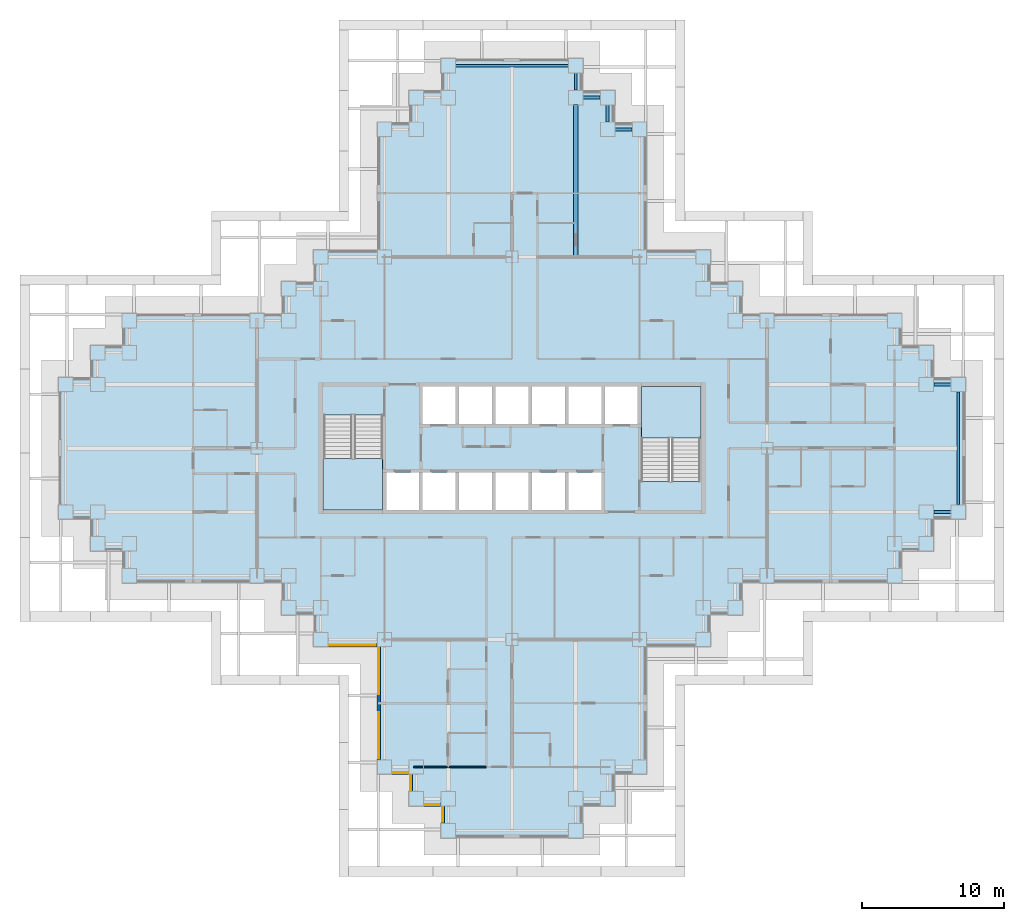
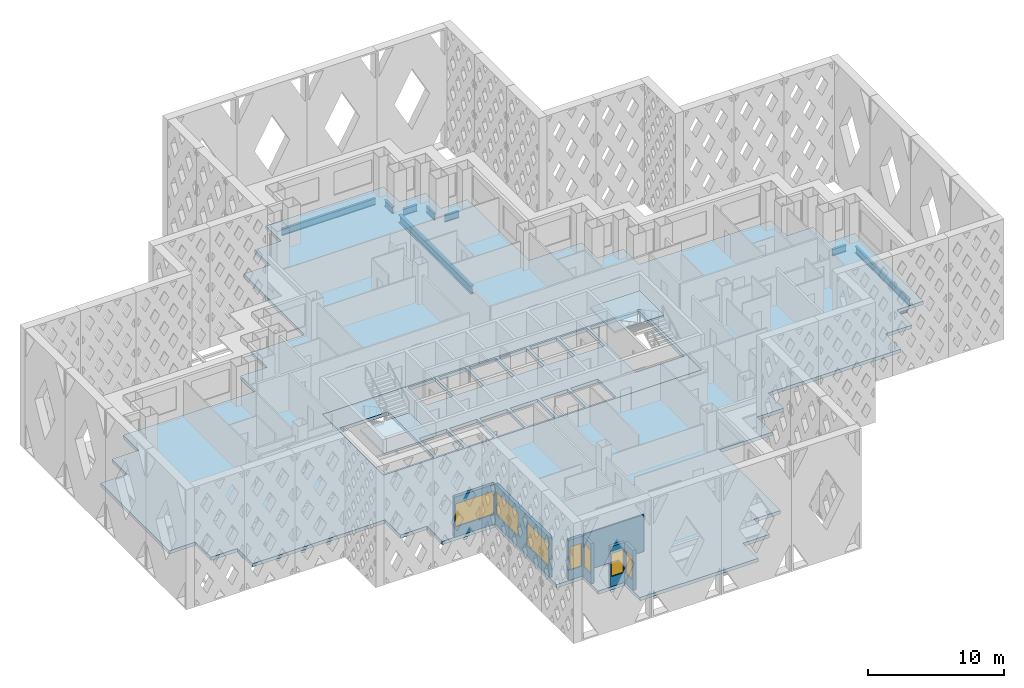
# One storey, part 2 of 19: 9 beams, 7 walls, 7 windows, 4 slabs, 7 openings, 2 elements without a shape of their own.
"""IFC4 building model written with IfcOpenShell, lengths in metres."""

from ifc_helpers import new_model, si_unit, direction, frame, frame_2d, origin, origin_2d, place, context, subcontext, project, spatial, polyline, rectangle, i_section, outline, extrude, material, layer, layer_set, material_profile, profile_set, type_object, element, fill, aggregate, save


model = new_model("IFC4")

# Units and contexts
model_context = context("Model", 3, precision=1e-05, world=origin(), true_north=direction((0.0, 1.0)))
body_context = subcontext(model_context, "Body", "Model", "MODEL_VIEW")
ifc_project = project(units=[si_unit("LENGTHUNIT", "METRE"), si_unit("AREAUNIT", "SQUARE_METRE"), si_unit("VOLUMEUNIT", "CUBIC_METRE"), si_unit("PLANEANGLEUNIT", "RADIAN"), si_unit("MASSUNIT", "GRAM", prefix="KILO")], contexts=[model_context])

# Site, building, storey
site_placement = place(None, origin())
site = spatial("IfcSite", under=ifc_project, at=site_placement, CompositionType="ELEMENT")
building_placement = place(site_placement, origin())
building = spatial("IfcBuilding", under=site, at=building_placement, Name="Caravel Reach Hotel and Residences", CompositionType="ELEMENT")
storey_placement = place(building_placement, frame((0.0, 0.0, 52.800048828125)))
storey = spatial("IfcBuildingStorey", under=building, at=storey_placement, Name="L11", CompositionType="ELEMENT", Elevation=52.800048828125)

# Beams
ifc_material_1 = material(Name="Structural steel Q355B", Category="steel")
ifc_material_profile_1 = material_profile(ifc_material_1, i_section(OverallWidth=0.300048828125, OverallDepth=0.699951171875, WebThickness=0.012939453125, FlangeThickness=0.02392578125, FilletRadius=0.01806640625, at=origin_2d()), Name="HN 700x300x13x24")
ifc_profile_set_1 = profile_set([ifc_material_profile_1], Name="Structural steel Q355B")
beam_type_1 = type_object("IfcBeamType", Name="Beam HN 700x300x13x24", PredefinedType="BEAM", material=ifc_profile_set_1)
beam_1_placement = place(storey_placement, frame((36.0, 40.60009765625, -0.650146484375), z_axis=(0.0, 1.0, 0.0), x_axis=(-1.0, 0.0, 0.0)))
element("IfcBeam", 1, at=beam_1_placement, inside=storey, type_object=beam_type_1, Name="B2 HN 700x300x13x24", PredefinedType="BEAM", context=body_context, shape_type="SweptSolid", body=[
    extrude(i_section(OverallWidth=0.300048828125, OverallDepth=0.699951171875, WebThickness=0.012939453125, FlangeThickness=0.02392578125, FilletRadius=0.01806640625, at=origin_2d()), origin(), (0.0, 0.0, 1.0), 10.6748046875),
])
ifc_material_2 = material(Name="Structural steel Q355B", Category="steel")
ifc_material_profile_2 = material_profile(ifc_material_2, i_section(OverallWidth=0.199951171875, OverallDepth=0.60009765625, WebThickness=0.010986328125, FlangeThickness=0.01708984375, FilletRadius=0.012939453125, at=origin_2d()), Name="HN 600x200x11x17")
ifc_profile_set_2 = profile_set([ifc_material_profile_2], Name="Structural steel Q355B")
beam_type_2 = type_object("IfcBeamType", Name="Spandrel beam HN 600x200x11x17", PredefinedType="SPANDREL", material=ifc_profile_set_2)
beam_2_placement = place(storey_placement, frame((61.27490234375, 22.5, -0.60009765625), z_axis=(1.0, 0.0, 0.0), x_axis=(0.0, 1.0, 0.0)))
element("IfcBeam", 2, at=beam_2_placement, inside=storey, type_object=beam_type_2, Name="SP1 HN 600x200x11x17", PredefinedType="SPANDREL", context=body_context, shape_type="SweptSolid", body=[
    extrude(i_section(OverallWidth=0.199951171875, OverallDepth=0.60009765625, WebThickness=0.010986328125, FlangeThickness=0.01708984375, FilletRadius=0.012939453125, at=origin_2d()), origin(), (0.0, 0.0, 1.0), 1.2001953125),
])
beam_3_placement = place(storey_placement, frame((63.0, 23.02490234375, -0.60009765625), z_axis=(0.0, 1.0, 0.0), x_axis=(-1.0, 0.0, 0.0)))
element("IfcBeam", 3, at=beam_3_placement, inside=storey, type_object=beam_type_2, Name="SP1 HN 600x200x11x17", PredefinedType="SPANDREL", context=body_context, shape_type="SweptSolid", body=[
    extrude(i_section(OverallWidth=0.199951171875, OverallDepth=0.60009765625, WebThickness=0.010986328125, FlangeThickness=0.01708984375, FilletRadius=0.012939453125, at=origin_2d()), origin(), (0.0, 0.0, 1.0), 7.9501953125),
])
for number, where, z_axis, x_axis, name in (
    (4, (62.47509765625, 31.5, -0.60009765625), (-1.0, 0.0, 0.0), (0.0, -1.0, 0.0), "SP1 HN 600x200x11x17"),
    (5, (39.97509765625, 49.5, -0.60009765625), (-1.0, 0.0, 0.0), (0.0, -1.0, 0.0), "SP1 HN 600x200x11x17"),
    (6, (38.25, 50.02490234375, -0.60009765625), (0.0, 1.0, 0.0), (-1.0, 0.0, 0.0), "SP1 HN 600x200x11x17"),
    (7, (37.72509765625, 51.75, -0.60009765625), (-1.0, 0.0, 0.0), (0.0, -1.0, 0.0), "SP1 HN 600x200x11x17"),
    (8, (36.0, 52.27490234375, -0.60009765625), (0.0, 1.0, 0.0), (-1.0, 0.0, 0.0), "SP1 HN 600x200x11x17"),
):
    element("IfcBeam", number, at=place(storey_placement, frame(where, z_axis=z_axis, x_axis=x_axis)), inside=storey, type_object=beam_type_2, Name=name, PredefinedType="SPANDREL", context=body_context, shape_type="SweptSolid", body=[
        extrude(i_section(OverallWidth=0.199951171875, OverallDepth=0.60009765625, WebThickness=0.010986328125, FlangeThickness=0.01708984375, FilletRadius=0.012939453125, at=origin_2d()), origin(), (0.0, 0.0, 1.0), 1.2001953125),
    ])
beam_4_placement = place(storey_placement, frame((35.47509765625, 54.0, -0.60009765625), z_axis=(-1.0, 0.0, 0.0), x_axis=(0.0, -1.0, 0.0)))
element("IfcBeam", 9, at=beam_4_placement, inside=storey, type_object=beam_type_2, Name="SP1 HN 600x200x11x17", PredefinedType="SPANDREL", context=body_context, shape_type="SweptSolid", body=[
    extrude(i_section(OverallWidth=0.199951171875, OverallDepth=0.60009765625, WebThickness=0.010986328125, FlangeThickness=0.01708984375, FilletRadius=0.012939453125, at=origin_2d()), origin(), (0.0, 0.0, 1.0), 7.9501953125),
])

# Slab
ifc_material_3 = material(Name="Concrete C40", Category="concrete")
ifc_layer_1 = layer(ifc_material_3, 0.300048828125)
ifc_layer_set_1 = layer_set([ifc_layer_1], Name="Core floor slab 300 mm")
slab_type_1 = type_object("IfcSlabType", Name="Core floor slab 300 mm", PredefinedType="FLOOR", material=ifc_layer_set_1)
slab_1_placement = place(storey_placement, frame((0.0, 0.0, -0.300048828125)))
element("IfcSlab", 10, at=slab_1_placement, inside=storey, type_object=slab_type_1, Name="L11 core floor", PredefinedType="FLOOR", context=body_context, shape_type="SweptSolid", body=[
    extrude(outline(polyline([(18.0, 31.5), (45.0, 31.5), (45.0, 22.5), (18.0, 22.5), (18.0, 31.5)]), holes=[polyline([(22.625, 25.27490234375), (22.625, 22.64990234375), (24.9462890625, 22.64990234375), (24.9462890625, 25.27490234375), (22.625, 25.27490234375)]), polyline([(27.517822265625, 25.27490234375), (25.1962890625, 25.27490234375), (25.1962890625, 22.64990234375), (27.517822265625, 22.64990234375), (27.517822265625, 25.27490234375)]), polyline([(30.08935546875, 25.27490234375), (27.767822265625, 25.27490234375), (27.767822265625, 22.64990234375), (30.08935546875, 22.64990234375), (30.08935546875, 25.27490234375)]), polyline([(32.66064453125, 25.27490234375), (30.33935546875, 25.27490234375), (30.33935546875, 22.64990234375), (32.66064453125, 22.64990234375), (32.66064453125, 25.27490234375)]), polyline([(18.22509765625, 22.64990234375), (22.375, 22.64990234375), (22.375, 29.35009765625), (18.22509765625, 29.35009765625), (18.22509765625, 22.64990234375)]), polyline([(27.517822265625, 31.35009765625), (25.1962890625, 31.35009765625), (25.1962890625, 28.72509765625), (27.517822265625, 28.72509765625), (27.517822265625, 31.35009765625)]), polyline([(30.08935546875, 31.35009765625), (27.767822265625, 31.35009765625), (27.767822265625, 28.72509765625), (30.08935546875, 28.72509765625), (30.08935546875, 31.35009765625)]), polyline([(32.91064453125, 25.27490234375), (32.91064453125, 22.64990234375), (35.232177734375, 22.64990234375), (35.232177734375, 25.27490234375), (32.91064453125, 25.27490234375)]), polyline([(37.8037109375, 25.27490234375), (35.482177734375, 25.27490234375), (35.482177734375, 22.64990234375), (37.8037109375, 22.64990234375), (37.8037109375, 25.27490234375)]), polyline([(44.77490234375, 31.35009765625), (40.625, 31.35009765625), (40.625, 24.64990234375), (44.77490234375, 24.64990234375), (44.77490234375, 31.35009765625)]), polyline([(32.66064453125, 31.35009765625), (30.33935546875, 31.35009765625), (30.33935546875, 28.72509765625), (32.66064453125, 28.72509765625), (32.66064453125, 31.35009765625)]), polyline([(35.232177734375, 31.35009765625), (32.91064453125, 31.35009765625), (32.91064453125, 28.72509765625), (35.232177734375, 28.72509765625), (35.232177734375, 31.35009765625)]), polyline([(37.8037109375, 31.35009765625), (35.482177734375, 31.35009765625), (35.482177734375, 28.72509765625), (37.8037109375, 28.72509765625), (37.8037109375, 31.35009765625)]), polyline([(40.375, 31.35009765625), (38.0537109375, 31.35009765625), (38.0537109375, 28.72509765625), (40.375, 28.72509765625), (40.375, 31.35009765625)])]), origin(), (0.0, 0.0, 1.0), 0.300048828125),
])

# Stair, slab
ifc_material_4 = material(Name="Concrete C40", Category="concrete")
stair_type = type_object("IfcStairType", Name="Core stair", PredefinedType="HALF_TURN_STAIR", material=ifc_material_4)
stair_1_placement = place(storey_placement, origin())
stair_1 = element("IfcStair", 11, at=stair_1_placement, inside=storey, type_object=stair_type, Name="L11 Exit stair A", PredefinedType="HALF_TURN_STAIR")
ifc_material_5 = material(Name="Concrete C40", Category="concrete")
ifc_layer_2 = layer(ifc_material_5, 0.199951171875)
ifc_layer_set_2 = layer_set([ifc_layer_2], Name="Core stair landing")
slab_type_2 = type_object("IfcSlabType", Name="Core stair landing", PredefinedType="LANDING", material=ifc_layer_set_2)
slab_2_placement = place(storey_placement, frame((0.0, 0.0, 1.599853515625)))
slab_2 = element("IfcSlab", 12, at=slab_2_placement, type_object=slab_type_2, Name="ST-A landing 1", PredefinedType="LANDING", context=body_context, shape_type="SweptSolid", body=[
    extrude(outline(polyline([(18.14990234375, 26.27001953125), (18.14990234375, 22.64990234375), (22.375, 22.64990234375), (22.375, 26.27001953125), (18.14990234375, 26.27001953125)])), origin(), (0.0, 0.0, 1.0), 0.2001953125),
])
aggregate(stair_1, [slab_2])

stair_2_placement = place(storey_placement, origin())
stair_2 = element("IfcStair", 13, at=stair_2_placement, inside=storey, type_object=stair_type, Name="L11 Exit stair B", PredefinedType="HALF_TURN_STAIR")
slab_3_placement = place(storey_placement, frame((0.0, 0.0, 1.599853515625)))
slab_3 = element("IfcSlab", 14, at=slab_3_placement, type_object=slab_type_2, Name="ST-B landing 1", PredefinedType="LANDING", context=body_context, shape_type="SweptSolid", body=[
    extrude(outline(polyline([(44.85009765625, 27.72998046875), (44.85009765625, 31.35009765625), (40.625, 31.35009765625), (40.625, 27.72998046875), (44.85009765625, 27.72998046875)])), origin(), (0.0, 0.0, 1.0), 0.2001953125),
])
aggregate(stair_2, [slab_3])

# Slab
ifc_material_6 = material(Name="Concrete C40 post-tensioned", Category="concrete")
ifc_layer_3 = layer(ifc_material_6, 0.300048828125)
ifc_layer_set_3 = layer_set([ifc_layer_3], Name="Floor slab 300")
slab_type_3 = type_object("IfcSlabType", Name="Floor slab 300", PredefinedType="FLOOR", material=ifc_layer_set_3)
slab_4_placement = place(storey_placement, frame((0.0, 0.0, -0.300048828125)))
element("IfcSlab", 15, at=slab_4_placement, inside=storey, type_object=slab_type_3, Name="S2 slab L11", PredefinedType="FLOOR", context=body_context, shape_type="SweptSolid", body=[
    extrude(outline(polyline([(17.47509765625, 12.97509765625), (17.47509765625, 15.22509765625), (15.22509765625, 15.22509765625), (15.22509765625, 17.47509765625), (3.97509765625, 17.47509765625), (3.97509765625, 19.72509765625), (1.72509765625, 19.72509765625), (1.72509765625, 21.97509765625), (-0.52490234375, 21.97509765625), (-0.52490234375, 32.02490234375), (1.72509765625, 32.02490234375), (1.72509765625, 34.27490234375), (3.97509765625, 34.27490234375), (3.97509765625, 36.52490234375), (15.22509765625, 36.52490234375), (15.22509765625, 38.77490234375), (17.47509765625, 38.77490234375), (17.47509765625, 41.02490234375), (21.97509765625, 41.02490234375), (21.97509765625, 50.02490234375), (24.22509765625, 50.02490234375), (24.22509765625, 52.27490234375), (26.47509765625, 52.27490234375), (26.47509765625, 54.52490234375), (36.52490234375, 54.52490234375), (36.52490234375, 52.27490234375), (38.77490234375, 52.27490234375), (38.77490234375, 50.02490234375), (41.02490234375, 50.02490234375), (41.02490234375, 41.02490234375), (45.52490234375, 41.02490234375), (45.52490234375, 38.77490234375), (47.77490234375, 38.77490234375), (47.77490234375, 36.52490234375), (59.02490234375, 36.52490234375), (59.02490234375, 34.27490234375), (61.27490234375, 34.27490234375), (61.27490234375, 32.02490234375), (63.52490234375, 32.02490234375), (63.52490234375, 21.97509765625), (61.27490234375, 21.97509765625), (61.27490234375, 19.72509765625), (59.02490234375, 19.72509765625), (59.02490234375, 17.47509765625), (47.77490234375, 17.47509765625), (47.77490234375, 15.22509765625), (45.52490234375, 15.22509765625), (45.52490234375, 12.97509765625), (41.02490234375, 12.97509765625), (41.02490234375, 3.97509765625), (38.77490234375, 3.97509765625), (38.77490234375, 1.72509765625), (36.52490234375, 1.72509765625), (36.52490234375, -0.52490234375), (26.47509765625, -0.52490234375), (26.47509765625, 1.72509765625), (24.22509765625, 1.72509765625), (24.22509765625, 3.97509765625), (21.97509765625, 3.97509765625), (21.97509765625, 12.97509765625), (17.47509765625, 12.97509765625)]), holes=[polyline([(45.0, 31.5), (18.0, 31.5), (18.0, 22.5), (45.0, 22.5), (45.0, 31.5)])]), origin(), (0.0, 0.0, 1.0), 0.300048828125),
])

# Wall, opening, window
ifc_material_7 = material(Name="Insulated rainscreen wall, aluminium cladding", Category="aluminium")
ifc_layer_4 = layer(ifc_material_7, 0.25)
ifc_layer_set_4 = layer_set([ifc_layer_4], Name="EW1 Tower rainscreen wall")
wall_type_1 = type_object("IfcWallType", Name="EW1 Tower rainscreen wall", PredefinedType="SOLIDWALL", material=ifc_layer_set_4)
wall_1_placement = place(storey_placement, frame((23.02490234375, 4.10009765625, 0.0), z_axis=(0.0, 0.0, 1.0), x_axis=(1.0, 0.0, 0.0)))
wall_1 = element("IfcWall", 16, at=wall_1_placement, inside=storey, type_object=wall_type_1, Name="External wall L11 S1.1", PredefinedType="SOLIDWALL", context=body_context, shape_type="SweptSolid", body=[
    extrude(rectangle(XDim=1.2001953125, YDim=0.25, at=frame_2d((0.60009765625, 0.0))), origin(), (0.0, 0.0, 1.0), 3.599853515625),
])
opening_1_placement = place(wall_1_placement, frame((0.10009765625, 0.0, 0.89990234375)))
opening_1 = element("IfcOpeningElement", 17, at=opening_1_placement, cuts=wall_1, Name="Opening WN1", PredefinedType="OPENING", context=body_context, shape_type="SweptSolid", body=[
    extrude(rectangle(XDim=1.0, YDim=2.080078125, at=frame_2d((0.5, 1.0400390625))), frame((0.0, 0.135009765625, 0.0), z_axis=(0.0, -1.0, 0.0), x_axis=(1.0, 0.0, 0.0)), (0.0, 0.0, 1.0), 0.27001953125),
])
ifc_material_8 = material(Name="Dark low-e glazing in black aluminium frame", Category="aluminium")
window_type_1 = type_object("IfcWindowType", Name="Hotel suite corner window 1000 x 2080", PartitioningType="SINGLE_PANEL", PredefinedType="WINDOW", material=ifc_material_8)
window_1_placement = place(opening_1_placement, origin())
window_1 = element("IfcWindow", 18, at=window_1_placement, inside=storey, type_object=window_type_1, Name="Window L11 S1.1.1", OverallHeight=2.080078125, OverallWidth=1.0, PartitioningType="SINGLE_PANEL", PredefinedType="WINDOW", context=body_context, shape_type="SweptSolid", body=[
    extrude(rectangle(XDim=1.0, YDim=2.080078125, at=frame_2d((0.5, 1.0400390625))), frame((0.0, 0.030029296875, 0.0), z_axis=(0.0, -1.0, 0.0), x_axis=(1.0, 0.0, 0.0)), (0.0, 0.0, 1.0), 0.06005859375),
])
fill(opening_1, window_1)

wall_2_placement = place(storey_placement, frame((24.35009765625, 3.97509765625, 0.0), z_axis=(0.0, 0.0, 1.0), x_axis=(0.0, -1.0, 0.0)))
wall_2 = element("IfcWall", 19, at=wall_2_placement, inside=storey, type_object=wall_type_1, Name="External wall L11 W2.1", PredefinedType="SOLIDWALL", context=body_context, shape_type="SweptSolid", body=[
    extrude(rectangle(XDim=1.2001953125, YDim=0.25, at=frame_2d((0.60009765625, 0.0))), origin(), (0.0, 0.0, 1.0), 3.599853515625),
])
opening_2_placement = place(wall_2_placement, frame((0.10009765625, 0.0, 0.89990234375)))
opening_2 = element("IfcOpeningElement", 20, at=opening_2_placement, cuts=wall_2, Name="Opening WN1", PredefinedType="OPENING", context=body_context, shape_type="SweptSolid", body=[
    extrude(rectangle(XDim=1.0, YDim=2.080078125, at=frame_2d((0.5, 1.0400390625))), frame((0.0, 0.135009765625, 0.0), z_axis=(0.0, -1.0, 0.0), x_axis=(1.0, 0.0, 0.0)), (0.0, 0.0, 1.0), 0.27001953125),
])
window_2_placement = place(opening_2_placement, origin())
window_2 = element("IfcWindow", 21, at=window_2_placement, inside=storey, type_object=window_type_1, Name="Window L11 W2.1.1", OverallHeight=2.080078125, OverallWidth=1.0, PartitioningType="SINGLE_PANEL", PredefinedType="WINDOW", context=body_context, shape_type="SweptSolid", body=[
    extrude(rectangle(XDim=1.0, YDim=2.080078125, at=frame_2d((0.5, 1.0400390625))), frame((0.0, 0.030029296875, 0.0), z_axis=(0.0, -1.0, 0.0), x_axis=(1.0, 0.0, 0.0)), (0.0, 0.0, 1.0), 0.06005859375),
])
fill(opening_2, window_2)

wall_3_placement = place(storey_placement, frame((25.27490234375, 1.85009765625, 0.0), z_axis=(0.0, 0.0, 1.0), x_axis=(1.0, 0.0, 0.0)))
wall_3 = element("IfcWall", 22, at=wall_3_placement, inside=storey, type_object=wall_type_1, Name="External wall L11 S3.1", PredefinedType="SOLIDWALL", context=body_context, shape_type="SweptSolid", body=[
    extrude(rectangle(XDim=1.2001953125, YDim=0.25, at=frame_2d((0.60009765625, 0.0))), origin(), (0.0, 0.0, 1.0), 3.599853515625),
])
opening_3_placement = place(wall_3_placement, frame((0.10009765625, 0.0, 0.89990234375)))
opening_3 = element("IfcOpeningElement", 23, at=opening_3_placement, cuts=wall_3, Name="Opening WN1", PredefinedType="OPENING", context=body_context, shape_type="SweptSolid", body=[
    extrude(rectangle(XDim=1.0, YDim=2.080078125, at=frame_2d((0.5, 1.0400390625))), frame((0.0, 0.135009765625, 0.0), z_axis=(0.0, -1.0, 0.0), x_axis=(1.0, 0.0, 0.0)), (0.0, 0.0, 1.0), 0.27001953125),
])
window_3_placement = place(opening_3_placement, origin())
window_3 = element("IfcWindow", 24, at=window_3_placement, inside=storey, type_object=window_type_1, Name="Window L11 S3.1.1", OverallHeight=2.080078125, OverallWidth=1.0, PartitioningType="SINGLE_PANEL", PredefinedType="WINDOW", context=body_context, shape_type="SweptSolid", body=[
    extrude(rectangle(XDim=1.0, YDim=2.080078125, at=frame_2d((0.5, 1.0400390625))), frame((0.0, 0.030029296875, 0.0), z_axis=(0.0, -1.0, 0.0), x_axis=(1.0, 0.0, 0.0)), (0.0, 0.0, 1.0), 0.06005859375),
])
fill(opening_3, window_3)

wall_4_placement = place(storey_placement, frame((26.60009765625, 1.72509765625, 0.0), z_axis=(0.0, 0.0, 1.0), x_axis=(0.0, -1.0, 0.0)))
wall_4 = element("IfcWall", 25, at=wall_4_placement, inside=storey, type_object=wall_type_1, Name="External wall L11 W4.1", PredefinedType="SOLIDWALL", context=body_context, shape_type="SweptSolid", body=[
    extrude(rectangle(XDim=1.2001953125, YDim=0.25, at=frame_2d((0.60009765625, 0.0))), origin(), (0.0, 0.0, 1.0), 3.599853515625),
])
opening_4_placement = place(wall_4_placement, frame((0.10009765625, 0.0, 0.89990234375)))
opening_4 = element("IfcOpeningElement", 26, at=opening_4_placement, cuts=wall_4, Name="Opening WN1", PredefinedType="OPENING", context=body_context, shape_type="SweptSolid", body=[
    extrude(rectangle(XDim=1.0, YDim=2.080078125, at=frame_2d((0.5, 1.0400390625))), frame((0.0, 0.135009765625, 0.0), z_axis=(0.0, -1.0, 0.0), x_axis=(1.0, 0.0, 0.0)), (0.0, 0.0, 1.0), 0.27001953125),
])
window_4_placement = place(opening_4_placement, origin())
window_4 = element("IfcWindow", 27, at=window_4_placement, inside=storey, type_object=window_type_1, Name="Window L11 W4.1.1", OverallHeight=2.080078125, OverallWidth=1.0, PartitioningType="SINGLE_PANEL", PredefinedType="WINDOW", context=body_context, shape_type="SweptSolid", body=[
    extrude(rectangle(XDim=1.0, YDim=2.080078125, at=frame_2d((0.5, 1.0400390625))), frame((0.0, 0.030029296875, 0.0), z_axis=(0.0, -1.0, 0.0), x_axis=(1.0, 0.0, 0.0)), (0.0, 0.0, 1.0), 0.06005859375),
])
fill(opening_4, window_4)

wall_5_placement = place(storey_placement, frame((18.52490234375, 13.10009765625, 0.0), z_axis=(0.0, 0.0, 1.0), x_axis=(1.0, 0.0, 0.0)))
wall_5 = element("IfcWall", 28, at=wall_5_placement, inside=storey, type_object=wall_type_1, Name="External wall L11 S59.1", PredefinedType="SOLIDWALL", context=body_context, shape_type="SweptSolid", body=[
    extrude(rectangle(XDim=3.4501953125, YDim=0.25, at=frame_2d((1.72509765625, 0.0))), origin(), (0.0, 0.0, 1.0), 3.599853515625),
])
opening_5_placement = place(wall_5_placement, frame((0.10009765625, 0.0, 0.89990234375)))
opening_5 = element("IfcOpeningElement", 29, at=opening_5_placement, cuts=wall_5, Name="Opening WN2", PredefinedType="OPENING", context=body_context, shape_type="SweptSolid", body=[
    extrude(rectangle(XDim=3.25, YDim=2.080078125, at=frame_2d((1.625, 1.0400390625))), frame((0.0, 0.135009765625, 0.0), z_axis=(0.0, -1.0, 0.0), x_axis=(1.0, 0.0, 0.0)), (0.0, 0.0, 1.0), 0.27001953125),
])
ifc_material_9 = material(Name="Dark low-e glazing in black aluminium frame", Category="aluminium")
window_type_2 = type_object("IfcWindowType", Name="Hotel guest room window 3250 x 2080", PartitioningType="SINGLE_PANEL", PredefinedType="WINDOW", material=ifc_material_9)
window_5_placement = place(opening_5_placement, origin())
window_5 = element("IfcWindow", 30, at=window_5_placement, inside=storey, type_object=window_type_2, Name="Window L11 S59.1.1", OverallHeight=2.080078125, OverallWidth=3.25, PartitioningType="SINGLE_PANEL", PredefinedType="WINDOW", context=body_context, shape_type="SweptSolid", body=[
    extrude(rectangle(XDim=3.25, YDim=2.080078125, at=frame_2d((1.625, 1.0400390625))), frame((0.0, 0.030029296875, 0.0), z_axis=(0.0, -1.0, 0.0), x_axis=(1.0, 0.0, 0.0)), (0.0, 0.0, 1.0), 0.06005859375),
])
fill(opening_5, window_5)

# Wall, openings, windows
wall_6_placement = place(storey_placement, frame((22.10009765625, 12.97509765625, 0.0), z_axis=(0.0, 0.0, 1.0), x_axis=(0.0, -1.0, 0.0)))
wall_6 = element("IfcWall", 31, at=wall_6_placement, inside=storey, type_object=wall_type_1, Name="External wall L11 W60.1", PredefinedType="SOLIDWALL", context=body_context, shape_type="SweptSolid", body=[
    extrude(rectangle(XDim=7.9501953125, YDim=0.25, at=frame_2d((3.97509765625, 0.0))), origin(), (0.0, 0.0, 1.0), 3.599853515625),
])
opening_6_placement = place(wall_6_placement, frame((0.10009765625, 0.0, 0.89990234375)))
opening_6 = element("IfcOpeningElement", 32, at=opening_6_placement, cuts=wall_6, Name="Opening WN2", PredefinedType="OPENING", context=body_context, shape_type="SweptSolid", body=[
    extrude(rectangle(XDim=3.25, YDim=2.080078125, at=frame_2d((1.625, 1.0400390625))), frame((0.0, 0.135009765625, 0.0), z_axis=(0.0, -1.0, 0.0), x_axis=(1.0, 0.0, 0.0)), (0.0, 0.0, 1.0), 0.27001953125),
])
opening_7_placement = place(wall_6_placement, frame((4.60009765625, 0.0, 0.89990234375)))
opening_7 = element("IfcOpeningElement", 33, at=opening_7_placement, cuts=wall_6, Name="Opening WN2", PredefinedType="OPENING", context=body_context, shape_type="SweptSolid", body=[
    extrude(rectangle(XDim=3.25, YDim=2.080078125, at=frame_2d((1.625, 1.0400390625))), frame((0.0, 0.135009765625, 0.0), z_axis=(0.0, -1.0, 0.0), x_axis=(1.0, 0.0, 0.0)), (0.0, 0.0, 1.0), 0.27001953125),
])
window_6_placement = place(opening_6_placement, origin())
window_6 = element("IfcWindow", 34, at=window_6_placement, inside=storey, type_object=window_type_2, Name="Window L11 W60.1.1", OverallHeight=2.080078125, OverallWidth=3.25, PartitioningType="SINGLE_PANEL", PredefinedType="WINDOW", context=body_context, shape_type="SweptSolid", body=[
    extrude(rectangle(XDim=3.25, YDim=2.080078125, at=frame_2d((1.625, 1.0400390625))), frame((0.0, 0.030029296875, 0.0), z_axis=(0.0, -1.0, 0.0), x_axis=(1.0, 0.0, 0.0)), (0.0, 0.0, 1.0), 0.06005859375),
])
fill(opening_6, window_6)
window_7_placement = place(opening_7_placement, origin())
window_7 = element("IfcWindow", 35, at=window_7_placement, inside=storey, type_object=window_type_2, Name="Window L11 W60.1.2", OverallHeight=2.080078125, OverallWidth=3.25, PartitioningType="SINGLE_PANEL", PredefinedType="WINDOW", context=body_context, shape_type="SweptSolid", body=[
    extrude(rectangle(XDim=3.25, YDim=2.080078125, at=frame_2d((1.625, 1.0400390625))), frame((0.0, 0.030029296875, 0.0), z_axis=(0.0, -1.0, 0.0), x_axis=(1.0, 0.0, 0.0)), (0.0, 0.0, 1.0), 0.06005859375),
])
fill(opening_7, window_7)

# Wall
ifc_material_10 = material(Name="Gypsum board on steel stud", Category="steel")
ifc_layer_5 = layer(ifc_material_10, 0.10009765625)
ifc_layer_set_5 = layer_set([ifc_layer_5], Name="Partition 100 mm")
wall_type_2 = type_object("IfcWallType", Name="Partition 100 mm", PredefinedType="PARTITIONING", material=ifc_layer_set_5)
wall_7_placement = place(storey_placement, frame((24.56005859375, 4.5, 0.0), z_axis=(0.0, 0.0, 1.0), x_axis=(1.0, 0.0, 0.0)))
element("IfcWall", 36, at=wall_7_placement, inside=storey, type_object=wall_type_2, Name="L11 wall w046", PredefinedType="PARTITIONING", context=body_context, shape_type="SweptSolid", body=[
    extrude(rectangle(XDim=5.139892578125, YDim=0.10009765625, at=frame_2d((2.56982421875, 0.0))), origin(), (0.0, 0.0, 1.0), 3.300048828125),
])

save(model, "model.ifc")
